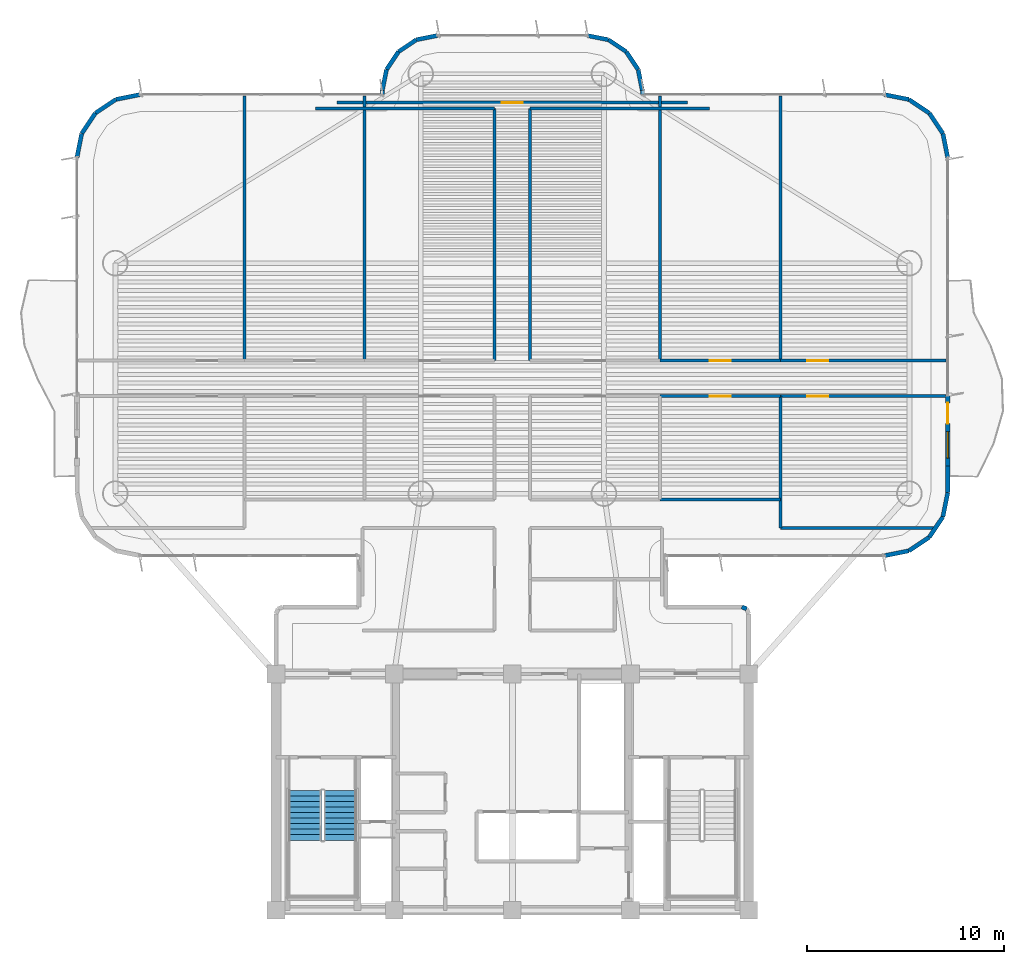
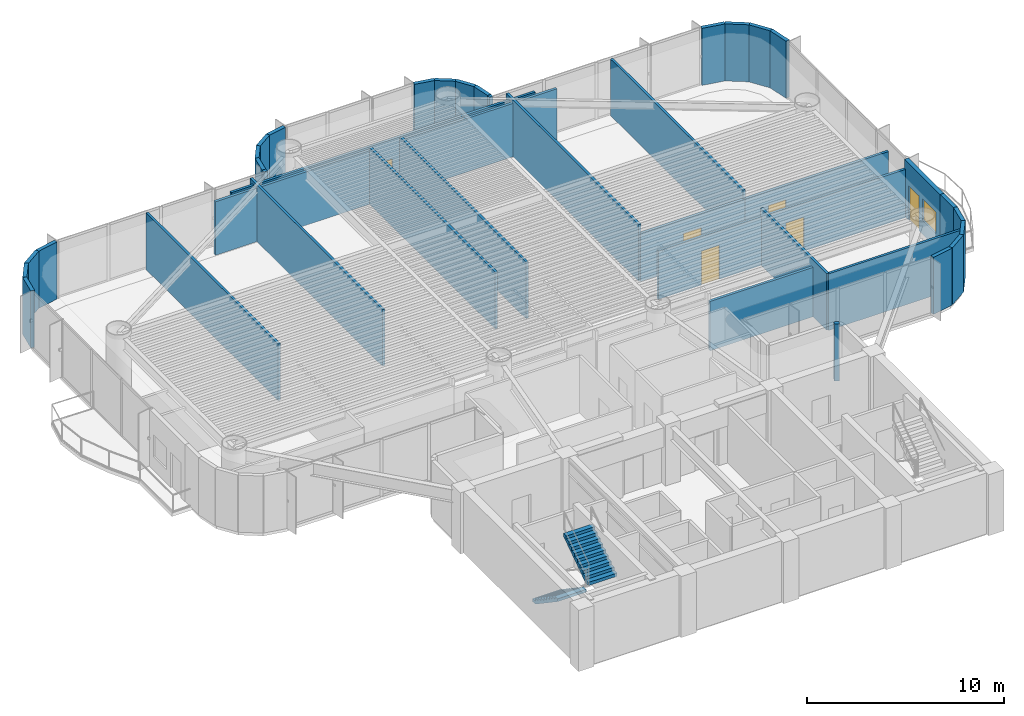
# One storey, part 11 of 16: 41 walls, 6 doors, 2 stair flights, 1 window, 7 openings, 1 element without a shape of its own.
"""IFC4 building model written with IfcOpenShell, lengths in metres."""

from ifc_helpers import new_model, si_unit, direction, frame, frame_2d, origin, origin_2d, place, context, subcontext, project, spatial, polyline, rectangle, outline, extrude, source, transform, mapped, material, layer, layer_set, type_object, element, fill, aggregate, save


model = new_model("IFC4")

# Units and contexts
model_context = context("Model", 3, precision=1e-05, world=origin(), true_north=direction((0.0, 1.0)))
body_context = subcontext(model_context, "Body", "Model", "MODEL_VIEW")
ifc_project = project(units=[si_unit("LENGTHUNIT", "METRE"), si_unit("AREAUNIT", "SQUARE_METRE"), si_unit("VOLUMEUNIT", "CUBIC_METRE"), si_unit("PLANEANGLEUNIT", "RADIAN"), si_unit("MASSUNIT", "GRAM", prefix="KILO")], contexts=[model_context])

# Site, building, storey
site_placement = place(None, origin())
site = spatial("IfcSite", under=ifc_project, at=site_placement, CompositionType="ELEMENT")
building_placement = place(site_placement, origin())
building = spatial("IfcBuilding", under=site, at=building_placement, Name="Brelvock Crest Care Tower", CompositionType="ELEMENT")
storey_placement = place(building_placement, frame((0.0, 0.0, 116.280029296875)))
storey = spatial("IfcBuildingStorey", under=building, at=storey_placement, Name="L29", CompositionType="ELEMENT", Elevation=116.280029296875)

# Wall, openings, door, window
ifc_material_1 = material(Name="Precast concrete N40 (40 MPa)", Category="concrete")
ifc_layer_1 = layer(ifc_material_1, 0.239990234375, Name="WL-EX1")
ifc_layer_set_1 = layer_set([ifc_layer_1], Name="Precast concrete N40 (40 MPa)")
wall_type_1 = type_object("IfcWallType", Name="WL-EX1", PredefinedType="SOLIDWALL", material=ifc_layer_set_1)
wall_1_placement = place(storey_placement, frame((58.10009765625, 32.14990234375, 0.0), z_axis=(0.0, 0.0, 1.0), x_axis=(0.0, -1.0, 0.0)))
wall_1 = element("IfcWall", 1, at=wall_1_placement, inside=storey, type_object=wall_type_1, Name="L29 Exterior Spandrel Wall WL-BAL-L29-E", PredefinedType="SOLIDWALL", context=body_context, shape_type="SweptSolid", body=[
    extrude(rectangle(XDim=3.599853515625, YDim=0.239990234375, at=frame_2d((1.7998046875, 0.0))), origin(), (0.0, 0.0, 1.0), 3.530029296875),
])
opening_1_placement = place(wall_1_placement, frame((0.39990234375, 0.0, 0.0)))
opening_1 = element("IfcOpeningElement", 2, at=opening_1_placement, cuts=wall_1, Name="Opening BD-1", PredefinedType="OPENING", context=body_context, shape_type="SweptSolid", body=[
    extrude(rectangle(XDim=1.050048828125, YDim=2.14990234375, at=origin_2d()), frame((0.52490234375, 0.1298828125, 1.074951171875), z_axis=(0.0, -1.0, 0.0), x_axis=(1.0, 0.0, 0.0)), (0.0, 0.0, 1.0), 0.260009765625),
])
opening_2_placement = place(wall_1_placement, frame((1.85009765625, 0.0, 0.85009765625)))
opening_2 = element("IfcOpeningElement", 3, at=opening_2_placement, cuts=wall_1, Name="Opening W-01", PredefinedType="OPENING", context=body_context, shape_type="SweptSolid", body=[
    extrude(rectangle(XDim=1.35009765625, YDim=1.35009765625, at=origin_2d()), frame((0.675048828125, 0.1298828125, 0.675048828125), z_axis=(0.0, -1.0, 0.0), x_axis=(1.0, 0.0, 0.0)), (0.0, 0.0, 1.0), 0.260009765625),
])
ifc_material_2 = material(Name="Dark Glass Double Glazed Low-E", Category="glass")
door_type_1 = type_object("IfcDoorType", Name="DR-BAL1", OperationType="NOTDEFINED", PredefinedType="DOOR", material=ifc_material_2)
shared_shape_1 = source(origin(), body_context, "Body", "SweptSolid", [
    extrude(rectangle(XDim=1.050048828125, YDim=2.14990234375, at=origin_2d()), frame((0.52490234375, 0.02490234375, 1.074951171875), z_axis=(0.0, -1.0, 0.0), x_axis=(1.0, 0.0, 0.0)), (0.0, 0.0, 1.0), 0.050048828125),
])
door_1_placement = place(opening_1_placement, origin())
door_1 = element("IfcDoor", 4, at=door_1_placement, inside=storey, type_object=door_type_1, Name="L29 E Wave Balcony Glazed Door", OperationType="SINGLE_SWING_RIGHT", OverallHeight=2.14990234375, OverallWidth=1.050048828125, PredefinedType="DOOR", context=body_context, shape_type="MappedRepresentation", body=[
    mapped(shared_shape_1, transform((0.0, 0.0, 0.0), x_axis=(1.0, 0.0, 0.0), y_axis=(0.0, 1.0, 0.0), z_axis=(0.0, 0.0, 1.0), scale=1.0)),
])
fill(opening_1, door_1)
window_type = type_object("IfcWindowType", Name="WN-EX1", PartitioningType="SINGLE_PANEL", PredefinedType="WINDOW", material=ifc_material_2)
shared_shape_2 = source(origin(), body_context, "Body", "SweptSolid", [
    extrude(rectangle(XDim=1.35009765625, YDim=1.35009765625, at=origin_2d()), frame((0.675048828125, 0.030029296875, 0.675048828125), z_axis=(0.0, -1.0, 0.0), x_axis=(1.0, 0.0, 0.0)), (0.0, 0.0, 1.0), 0.06005859375),
])
window_placement = place(opening_2_placement, origin())
window = element("IfcWindow", 5, at=window_placement, inside=storey, type_object=window_type, Name="L29 E Suite Casement Window", OverallHeight=1.35009765625, OverallWidth=1.35009765625, PartitioningType="SINGLE_PANEL", PredefinedType="WINDOW", context=body_context, shape_type="MappedRepresentation", body=[
    mapped(shared_shape_2, transform((0.0, 0.0, 0.0), x_axis=(1.0, 0.0, 0.0), y_axis=(0.0, 1.0, 0.0), z_axis=(0.0, 0.0, 1.0), scale=1.0)),
])
fill(opening_2, window)

# Walls
ifc_layer_2 = layer(ifc_material_1, 0.215087890625, Name="WL-EX2")
ifc_layer_set_2 = layer_set([ifc_layer_2], Name="Precast concrete N40 (40 MPa)")
wall_type_2 = type_object("IfcWallType", Name="WL-EX2", PredefinedType="SOLIDWALL", material=ifc_layer_set_2)
for number, where, z_axis, x_axis, name in (
    (6, (13.89990234375, 44.199951171875, 0.0), (0.0, 0.0, 1.0), (0.195138390419, 0.980775717779, 0.0), "L29 Rounded Corner Wall 18"),
    (7, (14.1435546875, 45.424560546875, 0.0), (0.0, 0.0, 1.0), (0.555692485475, 0.831387912822, 0.0), "L29 Rounded Corner Wall 19"),
    (8, (14.83740234375, 46.462646484375, 0.0), (0.0, 0.0, 1.0), (0.831387912822, 0.555692485475, 0.0), "L29 Rounded Corner Wall 20"),
    (9, (15.87548828125, 47.156494140625, 0.0), (0.0, 0.0, 1.0), (0.980813122964, 0.194950295773, 0.0), "L29 Rounded Corner Wall 21"),
):
    element("IfcWall", number, at=place(storey_placement, frame(where, z_axis=z_axis, x_axis=x_axis)), inside=storey, type_object=wall_type_2, Name=name, PredefinedType="SOLIDWALL", context=body_context, shape_type="SweptSolid", body=[
        extrude(rectangle(XDim=1.24853515625, YDim=0.215087890625, at=frame_2d((0.624267578125, 0.0))), origin(), (0.0, 0.0, 1.0), 3.530029296875),
    ])
wall_2_placement = place(storey_placement, frame((29.39990234375, 47.39990234375, 0.0), z_axis=(0.0, 0.0, 1.0), x_axis=(0.0, 1.0, 0.0)))
element("IfcWall", 10, at=wall_2_placement, inside=storey, type_object=wall_type_2, Name="L29 Rounded Corner Wall 23", PredefinedType="SOLIDWALL", context=body_context, shape_type="SweptSolid", body=[
    extrude(rectangle(XDim=0.2001953125, YDim=0.215087890625, at=frame_2d((0.10009765625, 0.0))), origin(), (0.0, 0.0, 1.0), 3.530029296875),
])
wall_3_placement = place(storey_placement, frame((29.39990234375, 47.60009765625, 0.0), z_axis=(0.0, 0.0, 1.0), x_axis=(0.195127417394, 0.980777900945, 0.0)))
element("IfcWall", 11, at=wall_3_placement, inside=storey, type_object=wall_type_2, Name="L29 Rounded Corner Wall 24", PredefinedType="SOLIDWALL", context=body_context, shape_type="SweptSolid", body=[
    extrude(rectangle(XDim=1.09228515625, YDim=0.215087890625, at=frame_2d((0.546142578125, 0.0))), origin(), (0.0, 0.0, 1.0), 3.530029296875),
])
wall_4_placement = place(storey_placement, frame((29.613037109375, 48.67138671875, 0.0), z_axis=(0.0, 0.0, 1.0), x_axis=(0.555679482341, 0.831396603857, 0.0)))
element("IfcWall", 12, at=wall_4_placement, inside=storey, type_object=wall_type_2, Name="L29 Rounded Corner Wall 25", PredefinedType="SOLIDWALL", context=body_context, shape_type="SweptSolid", body=[
    extrude(rectangle(XDim=1.0927734375, YDim=0.215087890625, at=frame_2d((0.54638671875, 0.0))), origin(), (0.0, 0.0, 1.0), 3.530029296875),
])
for number, where, z_axis, x_axis, name in (
    (13, (30.22021484375, 49.579833984375, 0.0), (0.0, 0.0, 1.0), (0.831327592857, 0.555782721353, 0.0), "L29 Rounded Corner Wall 26"),
    (14, (31.12841796875, 50.18701171875, 0.0), (0.0, 0.0, 1.0), (0.980829143587, 0.194869677195, 0.0), "L29 Rounded Corner Wall 27"),
    (15, (39.800048828125, 50.39990234375, 0.0), (0.0, 0.0, 1.0), (0.980829143587, -0.194869677195, 0.0), "L29 Rounded Corner Wall 29"),
    (16, (40.87158203125, 50.18701171875, 0.0), (0.0, 0.0, 1.0), (0.831327592857, -0.555782721353, 0.0), "L29 Rounded Corner Wall 30"),
):
    element("IfcWall", number, at=place(storey_placement, frame(where, z_axis=z_axis, x_axis=x_axis)), inside=storey, type_object=wall_type_2, Name=name, PredefinedType="SOLIDWALL", context=body_context, shape_type="SweptSolid", body=[
        extrude(rectangle(XDim=1.092529296875, YDim=0.215087890625, at=frame_2d((0.54638671875, 0.0))), origin(), (0.0, 0.0, 1.0), 3.530029296875),
    ])
wall_5_placement = place(storey_placement, frame((41.77978515625, 49.579833984375, 0.0), z_axis=(0.0, 0.0, 1.0), x_axis=(0.555679482341, -0.831396603857, 0.0)))
element("IfcWall", 17, at=wall_5_placement, inside=storey, type_object=wall_type_2, Name="L29 Rounded Corner Wall 31", PredefinedType="SOLIDWALL", context=body_context, shape_type="SweptSolid", body=[
    extrude(rectangle(XDim=1.0927734375, YDim=0.215087890625, at=frame_2d((0.54638671875, 0.0))), origin(), (0.0, 0.0, 1.0), 3.530029296875),
])
wall_6_placement = place(storey_placement, frame((42.386962890625, 48.67138671875, 0.0), z_axis=(0.0, 0.0, 1.0), x_axis=(0.195127417394, -0.980777900945, 0.0)))
element("IfcWall", 18, at=wall_6_placement, inside=storey, type_object=wall_type_2, Name="L29 Rounded Corner Wall 32", PredefinedType="SOLIDWALL", context=body_context, shape_type="SweptSolid", body=[
    extrude(rectangle(XDim=1.09228515625, YDim=0.215087890625, at=frame_2d((0.546142578125, 0.0))), origin(), (0.0, 0.0, 1.0), 3.530029296875),
])
wall_7_placement = place(storey_placement, frame((42.60009765625, 47.60009765625, 0.0), z_axis=(0.0, 0.0, 1.0), x_axis=(0.0, -1.0, 0.0)))
element("IfcWall", 19, at=wall_7_placement, inside=storey, type_object=wall_type_2, Name="L29 Rounded Corner Wall 33", PredefinedType="SOLIDWALL", context=body_context, shape_type="SweptSolid", body=[
    extrude(rectangle(XDim=0.2001953125, YDim=0.215087890625, at=frame_2d((0.10009765625, 0.0))), origin(), (0.0, 0.0, 1.0), 3.530029296875),
])
for number, where, z_axis, x_axis, name in (
    (20, (54.89990234375, 47.39990234375, 0.0), (0.0, 0.0, 1.0), (0.980813122964, -0.194950295773, 0.0), "L29 Rounded Corner Wall 35"),
    (21, (56.12451171875, 47.156494140625, 0.0), (0.0, 0.0, 1.0), (0.831387912822, -0.555692485475, 0.0), "L29 Rounded Corner Wall 36"),
    (22, (57.16259765625, 46.462646484375, 0.0), (0.0, 0.0, 1.0), (0.555692485475, -0.831387912822, 0.0), "L29 Rounded Corner Wall 37"),
    (23, (57.8564453125, 45.424560546875, 0.0), (0.0, 0.0, 1.0), (0.195138390419, -0.980775717779, 0.0), "L29 Rounded Corner Wall 38"),
):
    element("IfcWall", number, at=place(storey_placement, frame(where, z_axis=z_axis, x_axis=x_axis)), inside=storey, type_object=wall_type_2, Name=name, PredefinedType="SOLIDWALL", context=body_context, shape_type="SweptSolid", body=[
        extrude(rectangle(XDim=1.24853515625, YDim=0.215087890625, at=frame_2d((0.624267578125, 0.0))), origin(), (0.0, 0.0, 1.0), 3.530029296875),
    ])
wall_8_placement = place(storey_placement, frame((58.10009765625, 28.550048828125, 0.0), z_axis=(0.0, 0.0, 1.0), x_axis=(0.0, -1.0, 0.0)))
element("IfcWall", 24, at=wall_8_placement, inside=storey, type_object=wall_type_2, Name="L29 Exterior Spandrel Pier E39B", PredefinedType="SOLIDWALL", context=body_context, shape_type="SweptSolid", body=[
    extrude(rectangle(XDim=1.35009765625, YDim=0.215087890625, at=frame_2d((0.675048828125, 0.0))), origin(), (0.0, 0.0, 1.0), 3.530029296875),
])
for number, where, z_axis, x_axis, name in (
    (25, (58.10009765625, 27.199951171875, 0.0), (0.0, 0.0, 1.0), (-0.195138390419, -0.980775717779, 0.0), "L29 Rounded Corner Wall 40"),
    (26, (57.8564453125, 25.975341796875, 0.0), (0.0, 0.0, 1.0), (-0.555692485475, -0.831387912822, 0.0), "L29 Rounded Corner Wall 41"),
    (27, (57.16259765625, 24.937255859375, 0.0), (0.0, 0.0, 1.0), (-0.831478245117, -0.555557312883, 0.0), "L29 Rounded Corner Wall 42"),
    (28, (56.12451171875, 24.24365234375, 0.0), (0.0, 0.0, 1.0), (-0.980775717779, -0.195138390419, 0.0), "L29 Rounded Corner Wall 43"),
):
    element("IfcWall", number, at=place(storey_placement, frame(where, z_axis=z_axis, x_axis=x_axis)), inside=storey, type_object=wall_type_2, Name=name, PredefinedType="SOLIDWALL", context=body_context, shape_type="SweptSolid", body=[
        extrude(rectangle(XDim=1.24853515625, YDim=0.215087890625, at=frame_2d((0.624267578125, 0.0))), origin(), (0.0, 0.0, 1.0), 3.530029296875),
    ])
wall_9_placement = place(storey_placement, frame((47.64990234375, 21.39990234375, 0.0), z_axis=(0.0, 0.0, 1.0), x_axis=(0.924205486139, -0.381895560841, 0.0)))
element("IfcWall", 29, at=wall_9_placement, inside=storey, type_object=wall_type_2, Name="L29 Rounded Corner Wall 47", PredefinedType="SOLIDWALL", context=body_context, shape_type="SweptSolid", body=[
    extrude(rectangle(XDim=0.267822265625, YDim=0.215087890625, at=frame_2d((0.1337890625, 0.0))), origin(), (0.0, 0.0, 1.0), 3.530029296875),
])
ifc_material_3 = material(Name="Masonry Blockwork Acoustic Partition", Category="masonry")
ifc_layer_3 = layer(ifc_material_3, 0.14990234375, Name="WL-INT1")
ifc_layer_set_3 = layer_set([ifc_layer_3], Name="Masonry Blockwork Acoustic Partition")
wall_type_3 = type_object("IfcWallType", Name="WL-INT1", PredefinedType="PARTITIONING", material=ifc_layer_set_3)
wall_10_placement = place(storey_placement, frame((49.60009765625, 25.39990234375, 0.0), z_axis=(0.0, 0.0, 1.0), x_axis=(1.0, 0.0, 0.0)))
element("IfcWall", 30, at=wall_10_placement, inside=storey, type_object=wall_type_3, Name="L29 Interior Wall WL-BX-L29-SE-S", PredefinedType="PARTITIONING", context=body_context, shape_type="SweptSolid", body=[
    extrude(rectangle(XDim=7.775634765625, YDim=0.14990234375, at=frame_2d((3.8876953125, 0.0))), origin(), (0.0, 0.0, 1.0), 3.5),
])
wall_11_placement = place(storey_placement, frame((43.5, 26.85009765625, 0.0), z_axis=(0.0, 0.0, 1.0), x_axis=(1.0, 0.0, 0.0)))
element("IfcWall", 31, at=wall_11_placement, inside=storey, type_object=wall_type_3, Name="L29 Interior Wall WL-BX-L29-ISEB-S", PredefinedType="PARTITIONING", context=body_context, shape_type="SweptSolid", body=[
    extrude(rectangle(XDim=6.10009765625, YDim=0.14990234375, at=frame_2d((3.050048828125, 0.0))), origin(), (0.0, 0.0, 1.0), 3.054931640625),
])

# Wall, opening, door
wall_12_placement = place(storey_placement, frame((43.5, 32.10009765625, 0.0), z_axis=(0.0, 0.0, 1.0), x_axis=(1.0, 0.0, 0.0)))
wall_12 = element("IfcWall", 32, at=wall_12_placement, inside=storey, type_object=wall_type_3, Name="L29 Interior Wall WL-RM-L29-ISEB", PredefinedType="PARTITIONING", context=body_context, shape_type="SweptSolid", body=[
    extrude(rectangle(XDim=6.10009765625, YDim=0.14990234375, at=frame_2d((3.050048828125, 0.0))), origin(), (0.0, 0.0, 1.0), 2.98193359375),
])
opening_3_placement = place(wall_12_placement, frame((2.52490234375, 0.0, 0.0)))
opening_3 = element("IfcOpeningElement", 33, at=opening_3_placement, cuts=wall_12, Name="Opening CLD-1", PredefinedType="OPENING", context=body_context, shape_type="SweptSolid", body=[
    extrude(rectangle(XDim=1.050048828125, YDim=2.10009765625, at=origin_2d()), frame((0.52490234375, 0.0849609375, 1.050048828125), z_axis=(0.0, -1.0, 0.0), x_axis=(1.0, 0.0, 0.0)), (0.0, 0.0, 1.0), 0.169921875),
])
ifc_material_4 = material(Name="Engineered Hardwood Timber", Category="wood")
door_type_2 = type_object("IfcDoorType", Name="DR-CLN1", OperationType="NOTDEFINED", PredefinedType="DOOR", material=ifc_material_4)
shared_shape_3 = source(origin(), body_context, "Body", "SweptSolid", [
    extrude(rectangle(XDim=1.050048828125, YDim=2.10009765625, at=origin_2d()), frame((0.52490234375, 0.02490234375, 1.050048828125), z_axis=(0.0, -1.0, 0.0), x_axis=(1.0, 0.0, 0.0)), (0.0, 0.0, 1.0), 0.050048828125),
])
door_2_placement = place(opening_3_placement, origin())
door_2 = element("IfcDoor", 34, at=door_2_placement, inside=storey, type_object=door_type_2, Name="L29 Geriatric Hydro-Consultation Door ISEB", OperationType="SINGLE_SWING_LEFT", OverallHeight=2.10009765625, OverallWidth=1.050048828125, PredefinedType="DOOR", context=body_context, shape_type="MappedRepresentation", body=[
    mapped(shared_shape_3, transform((0.0, 0.0, 0.0), x_axis=(1.0, 0.0, 0.0), y_axis=(0.0, 1.0, 0.0), z_axis=(0.0, 0.0, 1.0), scale=1.0)),
])
fill(opening_3, door_2)

wall_13_placement = place(storey_placement, frame((49.60009765625, 32.10009765625, 0.0), z_axis=(0.0, 0.0, 1.0), x_axis=(1.0, 0.0, 0.0)))
wall_13 = element("IfcWall", 35, at=wall_13_placement, inside=storey, type_object=wall_type_3, Name="L29 Interior Wall WL-RM-L29-SE", PredefinedType="PARTITIONING", context=body_context, shape_type="SweptSolid", body=[
    extrude(rectangle(XDim=8.419921875, YDim=0.14990234375, at=frame_2d((4.2099609375, 0.0))), origin(), (0.0, 0.0, 1.0), 2.98193359375),
])
opening_4_placement = place(wall_13_placement, frame((1.375, 0.0, 0.0)))
opening_4 = element("IfcOpeningElement", 36, at=opening_4_placement, cuts=wall_13, Name="Opening CLD-1", PredefinedType="OPENING", context=body_context, shape_type="SweptSolid", body=[
    extrude(rectangle(XDim=1.050048828125, YDim=2.10009765625, at=origin_2d()), frame((0.52490234375, 0.0849609375, 1.050048828125), z_axis=(0.0, -1.0, 0.0), x_axis=(1.0, 0.0, 0.0)), (0.0, 0.0, 1.0), 0.169921875),
])
door_3_placement = place(opening_4_placement, origin())
door_3 = element("IfcDoor", 37, at=door_3_placement, inside=storey, type_object=door_type_2, Name="L29 Rehabilitation Therapy Suite Door SE", OperationType="SINGLE_SWING_LEFT", OverallHeight=2.10009765625, OverallWidth=1.050048828125, PredefinedType="DOOR", context=body_context, shape_type="MappedRepresentation", body=[
    mapped(shared_shape_3, transform((0.0, 0.0, 0.0), x_axis=(1.0, 0.0, 0.0), y_axis=(0.0, 1.0, 0.0), z_axis=(0.0, 0.0, 1.0), scale=1.0)),
])
fill(opening_4, door_3)

wall_14_placement = place(storey_placement, frame((43.5, 33.89990234375, 0.0), z_axis=(0.0, 0.0, 1.0), x_axis=(1.0, 0.0, 0.0)))
wall_14 = element("IfcWall", 38, at=wall_14_placement, inside=storey, type_object=wall_type_3, Name="L29 Interior Wall WL-RM-L29-INEB", PredefinedType="PARTITIONING", context=body_context, shape_type="SweptSolid", body=[
    extrude(rectangle(XDim=6.10009765625, YDim=0.14990234375, at=frame_2d((3.050048828125, 0.0))), origin(), (0.0, 0.0, 1.0), 2.98193359375),
])
opening_5_placement = place(wall_14_placement, frame((2.52490234375, 0.0, 0.0)))
opening_5 = element("IfcOpeningElement", 39, at=opening_5_placement, cuts=wall_14, Name="Opening CLD-1", PredefinedType="OPENING", context=body_context, shape_type="SweptSolid", body=[
    extrude(rectangle(XDim=1.050048828125, YDim=2.10009765625, at=origin_2d()), frame((0.52490234375, 0.0849609375, 1.050048828125), z_axis=(0.0, -1.0, 0.0), x_axis=(1.0, 0.0, 0.0)), (0.0, 0.0, 1.0), 0.169921875),
])
door_4_placement = place(opening_5_placement, origin())
door_4 = element("IfcDoor", 40, at=door_4_placement, inside=storey, type_object=door_type_2, Name="L29 Geriatric Hydro-Consultation Door INEB", OperationType="SINGLE_SWING_LEFT", OverallHeight=2.10009765625, OverallWidth=1.050048828125, PredefinedType="DOOR", context=body_context, shape_type="MappedRepresentation", body=[
    mapped(shared_shape_3, transform((0.0, 0.0, 0.0), x_axis=(1.0, 0.0, 0.0), y_axis=(0.0, 1.0, 0.0), z_axis=(0.0, 0.0, 1.0), scale=1.0)),
])
fill(opening_5, door_4)

wall_15_placement = place(storey_placement, frame((49.60009765625, 33.89990234375, 0.0), z_axis=(0.0, 0.0, 1.0), x_axis=(1.0, 0.0, 0.0)))
wall_15 = element("IfcWall", 41, at=wall_15_placement, inside=storey, type_object=wall_type_3, Name="L29 Interior Wall WL-RM-L29-NE", PredefinedType="PARTITIONING", context=body_context, shape_type="SweptSolid", body=[
    extrude(rectangle(XDim=8.419921875, YDim=0.14990234375, at=frame_2d((4.2099609375, 0.0))), origin(), (0.0, 0.0, 1.0), 2.98193359375),
])
opening_6_placement = place(wall_15_placement, frame((1.375, 0.0, 0.0)))
opening_6 = element("IfcOpeningElement", 42, at=opening_6_placement, cuts=wall_15, Name="Opening CLD-1", PredefinedType="OPENING", context=body_context, shape_type="SweptSolid", body=[
    extrude(rectangle(XDim=1.050048828125, YDim=2.10009765625, at=origin_2d()), frame((0.52490234375, 0.0849609375, 1.050048828125), z_axis=(0.0, -1.0, 0.0), x_axis=(1.0, 0.0, 0.0)), (0.0, 0.0, 1.0), 0.169921875),
])
door_5_placement = place(opening_6_placement, origin())
door_5 = element("IfcDoor", 43, at=door_5_placement, inside=storey, type_object=door_type_2, Name="L29 Rehabilitation Therapy Suite Door NE", OperationType="SINGLE_SWING_LEFT", OverallHeight=2.10009765625, OverallWidth=1.050048828125, PredefinedType="DOOR", context=body_context, shape_type="MappedRepresentation", body=[
    mapped(shared_shape_3, transform((0.0, 0.0, 0.0), x_axis=(1.0, 0.0, 0.0), y_axis=(0.0, 1.0, 0.0), z_axis=(0.0, 0.0, 1.0), scale=1.0)),
])
fill(opening_6, door_5)

# Walls
for number, where, z_axis, x_axis, name in (
    (44, (26.0, 46.699951171875, 0.0), (0.0, 0.0, 1.0), (1.0, 0.0, 0.0), "L29 Interior Wall WL-BX-L29-INWB-N"),
    (45, (36.89990234375, 46.699951171875, 0.0), (0.0, 0.0, 1.0), (1.0, 0.0, 0.0), "L29 Interior Wall WL-BX-L29-INEA-N"),
):
    element("IfcWall", number, at=place(storey_placement, frame(where, z_axis=z_axis, x_axis=x_axis)), inside=storey, type_object=wall_type_3, Name=name, PredefinedType="PARTITIONING", context=body_context, shape_type="SweptSolid", body=[
        extrude(rectangle(XDim=9.10009765625, YDim=0.14990234375, at=frame_2d((4.550048828125, 0.0))), origin(), (0.0, 0.0, 1.0), 3.307861328125),
    ])

# Wall, opening, door
wall_16_placement = place(storey_placement, frame((27.10009765625, 47.0, 0.0), z_axis=(0.0, 0.0, 1.0), x_axis=(1.0, 0.0, 0.0)))
wall_16 = element("IfcWall", 46, at=wall_16_placement, inside=storey, type_object=wall_type_3, Name="L29 Interior Wall WL-RM-L29-NHUB", PredefinedType="PARTITIONING", context=body_context, shape_type="SweptSolid", body=[
    extrude(rectangle(XDim=17.7998046875, YDim=0.14990234375, at=frame_2d((8.89990234375, 0.0))), origin(), (0.0, 0.0, 1.0), 3.307861328125),
])
opening_7_placement = place(wall_16_placement, frame((8.375, 0.0, 0.0)))
opening_7 = element("IfcOpeningElement", 47, at=opening_7_placement, cuts=wall_16, Name="Opening CLD-1", PredefinedType="OPENING", context=body_context, shape_type="SweptSolid", body=[
    extrude(rectangle(XDim=1.050048828125, YDim=2.10009765625, at=origin_2d()), frame((0.52490234375, 0.0849609375, 1.050048828125), z_axis=(0.0, -1.0, 0.0), x_axis=(1.0, 0.0, 0.0)), (0.0, 0.0, 1.0), 0.169921875),
])
door_6_placement = place(opening_7_placement, origin())
door_6 = element("IfcDoor", 48, at=door_6_placement, inside=storey, type_object=door_type_2, Name="L29 North Panorama Sunroom Door NHUB", OperationType="SINGLE_SWING_LEFT", OverallHeight=2.10009765625, OverallWidth=1.050048828125, PredefinedType="DOOR", context=body_context, shape_type="MappedRepresentation", body=[
    mapped(shared_shape_3, transform((0.0, 0.0, 0.0), x_axis=(1.0, 0.0, 0.0), y_axis=(0.0, 1.0, 0.0), z_axis=(0.0, 0.0, 1.0), scale=1.0)),
])
fill(opening_7, door_6)

# Walls
wall_17_placement = place(storey_placement, frame((22.39990234375, 33.89990234375, 0.0), z_axis=(0.0, 0.0, 1.0), x_axis=(0.0, 1.0, 0.0)))
element("IfcWall", 49, at=wall_17_placement, inside=storey, type_object=wall_type_3, Name="L29 Interior Wall WL-BX-L29-INWA-W", PredefinedType="PARTITIONING", context=body_context, shape_type="SweptSolid", body=[
    extrude(rectangle(XDim=13.4208984375, YDim=0.14990234375, at=frame_2d((6.71044921875, 0.0))), origin(), (0.0, 0.0, 1.0), 3.5),
])
wall_18_placement = place(storey_placement, frame((28.5, 33.89990234375, 0.0), z_axis=(0.0, 0.0, 1.0), x_axis=(0.0, 1.0, 0.0)))
element("IfcWall", 50, at=wall_18_placement, inside=storey, type_object=wall_type_3, Name="L29 Interior Wall WL-BX-L29-INWA-E", PredefinedType="PARTITIONING", context=body_context, shape_type="SweptSolid", body=[
    extrude(rectangle(XDim=13.42138671875, YDim=0.14990234375, at=frame_2d((6.710693359375, 0.0))), origin(), (0.0, 0.0, 1.0), 3.5),
])
for number, where, z_axis, x_axis, name in (
    (51, (35.10009765625, 33.89990234375, 0.0), (0.0, 0.0, 1.0), (0.0, 1.0, 0.0), "L29 Interior Wall WL-BX-L29-INWB-E"),
    (52, (36.89990234375, 33.89990234375, 0.0), (0.0, 0.0, 1.0), (0.0, 1.0, 0.0), "L29 Interior Wall WL-BX-L29-INEA-W"),
):
    element("IfcWall", number, at=place(storey_placement, frame(where, z_axis=z_axis, x_axis=x_axis)), inside=storey, type_object=wall_type_3, Name=name, PredefinedType="PARTITIONING", context=body_context, shape_type="SweptSolid", body=[
        extrude(rectangle(XDim=12.800048828125, YDim=0.14990234375, at=frame_2d((6.39990234375, 0.0))), origin(), (0.0, 0.0, 1.0), 3.5),
    ])
wall_19_placement = place(storey_placement, frame((43.5, 33.89990234375, 0.0), z_axis=(0.0, 0.0, 1.0), x_axis=(0.0, 1.0, 0.0)))
element("IfcWall", 53, at=wall_19_placement, inside=storey, type_object=wall_type_3, Name="L29 Interior Wall WL-BX-L29-INEA-E", PredefinedType="PARTITIONING", context=body_context, shape_type="SweptSolid", body=[
    extrude(rectangle(XDim=13.42138671875, YDim=0.14990234375, at=frame_2d((6.710693359375, 0.0))), origin(), (0.0, 0.0, 1.0), 3.5),
])
wall_20_placement = place(storey_placement, frame((49.60009765625, 25.39990234375, 0.0), z_axis=(0.0, 0.0, 1.0), x_axis=(0.0, 1.0, 0.0)))
element("IfcWall", 54, at=wall_20_placement, inside=storey, type_object=wall_type_3, Name="L29 Interior Wall WL-BX-L29-SE-W", PredefinedType="PARTITIONING", context=body_context, shape_type="SweptSolid", body=[
    extrude(rectangle(XDim=6.7001953125, YDim=0.14990234375, at=frame_2d((3.35009765625, 0.0))), origin(), (0.0, 0.0, 1.0), 3.5),
])
wall_21_placement = place(storey_placement, frame((49.60009765625, 33.89990234375, 0.0), z_axis=(0.0, 0.0, 1.0), x_axis=(0.0, 1.0, 0.0)))
element("IfcWall", 55, at=wall_21_placement, inside=storey, type_object=wall_type_3, Name="L29 Interior Wall WL-BX-L29-INEB-E", PredefinedType="PARTITIONING", context=body_context, shape_type="SweptSolid", body=[
    extrude(rectangle(XDim=13.4208984375, YDim=0.14990234375, at=frame_2d((6.71044921875, 0.0))), origin(), (0.0, 0.0, 1.0), 3.5),
])

# Stair, stair flights
ifc_material_5 = material(Name="Concrete N40 (40 MPa)", Category="concrete")
stair_type = type_object("IfcStairType", Name="ST-CORE1", PredefinedType="HALF_TURN_STAIR", material=ifc_material_5)
stair_placement = place(storey_placement, origin())
stair = element("IfcStair", 56, at=stair_placement, inside=storey, type_object=stair_type, Name="L29 Fire-Isolated Core Stair ST-1", PredefinedType="HALF_TURN_STAIR")
stair_flight_type = type_object("IfcStairFlightType", Name="STF-1", PredefinedType="STRAIGHT", material=ifc_material_5)
stair_flight_1_placement = place(storey_placement, frame((25.469970703125, 12.080078125, 0.0), z_axis=(0.0, 0.0, 1.0), x_axis=(0.0, -1.0, 0.0)))
stair_flight_1 = element("IfcStairFlight", 57, at=stair_flight_1_placement, type_object=stair_flight_type, Name="ST-1 flight 1", NumberOfRisers=10, NumberOfTreads=9, PredefinedType="STRAIGHT", RiserHeight=0.189, TreadLength=0.28, context=body_context, shape_type="SweptSolid", body=[
    extrude(outline(polyline([(-0.00390625, -0.014892578125), (-0.00390625, -0.0078125), (-0.00390625, -0.00048828125), (-0.00390625, 0.0068359375), (-0.00390625, 0.01416015625), (-0.00390625, 0.021484375), (-0.00390625, 0.02880859375), (-0.00390625, 0.035888671875), (-0.00390625, 0.043212890625), (-0.00390625, 0.050537109375), (-0.00390625, 0.057861328125), (-0.00390625, 0.065185546875), (-0.00390625, 0.072509765625), (-0.00390625, 0.07958984375), (-0.00390625, 0.0869140625), (-0.00390625, 0.09423828125), (-0.00390625, 0.1015625), (-0.00390625, 0.10888671875), (-0.00390625, 0.1162109375), (-0.00390625, 0.12353515625), (-0.00390625, 0.130615234375), (-0.00390625, 0.137939453125), (-0.00390625, 0.145263671875), (-0.00390625, 0.152587890625), (-0.00390625, 0.159912109375), (-0.00390625, 0.167236328125), (-0.00390625, 0.17431640625), (-0.00390625, 0.181640625), (-0.00390625, 0.18896484375), (0.0, 0.18896484375), (0.280029296875, 0.18896484375), (0.280029296875, 0.3779296875), (0.56005859375, 0.3779296875), (0.56005859375, 0.56689453125), (0.840087890625, 0.56689453125), (0.840087890625, 0.756103515625), (1.1201171875, 0.756103515625), (1.1201171875, 0.945068359375), (1.39990234375, 0.945068359375), (1.39990234375, 1.134033203125), (1.679931640625, 1.134033203125), (1.679931640625, 1.322998046875), (1.9599609375, 1.322998046875), (1.9599609375, 1.511962890625), (2.239990234375, 1.511962890625), (2.239990234375, 1.700927734375), (2.52001953125, 1.700927734375), (2.52392578125, 1.700927734375), (2.523681640625, 1.70068359375), (2.52392578125, 1.700439453125), (2.523681640625, 1.699951171875), (2.52392578125, 1.69970703125), (2.523681640625, 1.699462890625), (2.52392578125, 1.698974609375), (2.523681640625, 1.69873046875), (2.52392578125, 1.698486328125), (2.523681640625, 1.697998046875), (2.52392578125, 1.69775390625), (2.523681640625, 1.697509765625), (2.52392578125, 1.697021484375), (2.523681640625, 1.69677734375), (2.52392578125, 1.696533203125), (2.523681640625, 1.6962890625), (2.52392578125, 1.69580078125), (2.523681640625, 1.695556640625), (2.52392578125, 1.6953125), (2.523681640625, 1.69482421875), (2.52392578125, 1.694580078125), (2.523681640625, 1.6943359375), (2.52392578125, 1.69384765625), (2.523681640625, 1.693603515625), (2.52392578125, 1.693359375), (2.523681640625, 1.69287109375), (2.52392578125, 1.692626953125), (2.523681640625, 1.6923828125), (2.52392578125, 1.69189453125), (2.52001953125, 1.520263671875), (0.267822265625, 0.0), (0.0, 0.0), (0.0, -0.014892578125), (-0.00390625, -0.014892578125)])), frame((0.0, 0.83984375, 0.0), z_axis=(0.0, -1.0, 0.0), x_axis=(1.0, 0.0, 0.0)), (0.0, 0.0, 1.0), 1.679931640625),
])
stair_flight_2_placement = place(storey_placement, frame((27.27001953125, 9.56005859375, 1.889892578125), z_axis=(0.0, 0.0, 1.0), x_axis=(0.0, 1.0, 0.0)))
stair_flight_2 = element("IfcStairFlight", 58, at=stair_flight_2_placement, type_object=stair_flight_type, Name="ST-1 flight 2", NumberOfRisers=10, NumberOfTreads=9, PredefinedType="STRAIGHT", RiserHeight=0.189, TreadLength=0.28, context=body_context, shape_type="SweptSolid", body=[
    extrude(outline(polyline([(-0.00390625, -0.014892578125), (-0.00390625, -0.0078125), (-0.00390625, -0.00048828125), (-0.00390625, 0.0068359375), (-0.00390625, 0.01416015625), (-0.00390625, 0.021484375), (-0.00390625, 0.02880859375), (-0.00390625, 0.035888671875), (-0.00390625, 0.043212890625), (-0.00390625, 0.050537109375), (-0.00390625, 0.057861328125), (-0.00390625, 0.065185546875), (-0.00390625, 0.072509765625), (-0.00390625, 0.07958984375), (-0.00390625, 0.0869140625), (-0.00390625, 0.09423828125), (-0.00390625, 0.1015625), (-0.00390625, 0.10888671875), (-0.00390625, 0.1162109375), (-0.00390625, 0.12353515625), (-0.00390625, 0.130615234375), (-0.00390625, 0.137939453125), (-0.00390625, 0.145263671875), (-0.00390625, 0.152587890625), (-0.00390625, 0.159912109375), (-0.00390625, 0.167236328125), (-0.00390625, 0.17431640625), (-0.00390625, 0.181640625), (-0.00390625, 0.18896484375), (0.0, 0.18896484375), (0.280029296875, 0.18896484375), (0.280029296875, 0.3779296875), (0.56005859375, 0.3779296875), (0.56005859375, 0.56689453125), (0.840087890625, 0.56689453125), (0.840087890625, 0.756103515625), (1.1201171875, 0.756103515625), (1.1201171875, 0.945068359375), (1.39990234375, 0.945068359375), (1.39990234375, 1.134033203125), (1.679931640625, 1.134033203125), (1.679931640625, 1.322998046875), (1.9599609375, 1.322998046875), (1.9599609375, 1.511962890625), (2.239990234375, 1.511962890625), (2.239990234375, 1.700927734375), (2.52001953125, 1.700927734375), (2.52392578125, 1.700927734375), (2.523681640625, 1.70068359375), (2.52392578125, 1.700439453125), (2.523681640625, 1.699951171875), (2.52392578125, 1.69970703125), (2.523681640625, 1.699462890625), (2.52392578125, 1.698974609375), (2.523681640625, 1.69873046875), (2.52392578125, 1.698486328125), (2.523681640625, 1.697998046875), (2.52392578125, 1.69775390625), (2.523681640625, 1.697509765625), (2.52392578125, 1.697021484375), (2.523681640625, 1.69677734375), (2.52392578125, 1.696533203125), (2.523681640625, 1.6962890625), (2.52392578125, 1.69580078125), (2.523681640625, 1.695556640625), (2.52392578125, 1.6953125), (2.523681640625, 1.69482421875), (2.52392578125, 1.694580078125), (2.523681640625, 1.6943359375), (2.52392578125, 1.69384765625), (2.523681640625, 1.693603515625), (2.52392578125, 1.693359375), (2.523681640625, 1.69287109375), (2.52392578125, 1.692626953125), (2.523681640625, 1.6923828125), (2.52392578125, 1.69189453125), (2.52001953125, 1.520263671875), (0.267822265625, 0.0), (0.0, 0.0), (0.0, -0.014892578125), (-0.00390625, -0.014892578125)])), frame((0.0, 0.83984375, 0.0), z_axis=(0.0, -1.0, 0.0), x_axis=(1.0, 0.0, 0.0)), (0.0, 0.0, 1.0), 1.679931640625),
])
aggregate(stair, [stair_flight_1, stair_flight_2])

save(model, "model.ifc")
